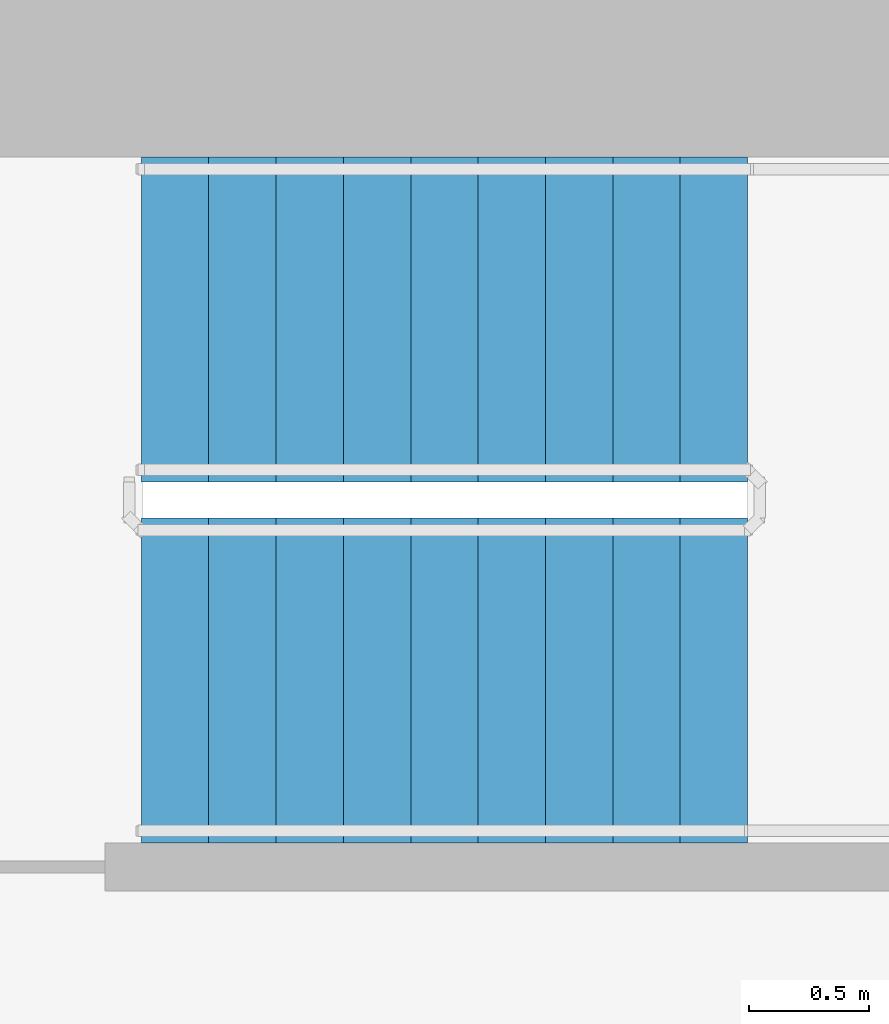
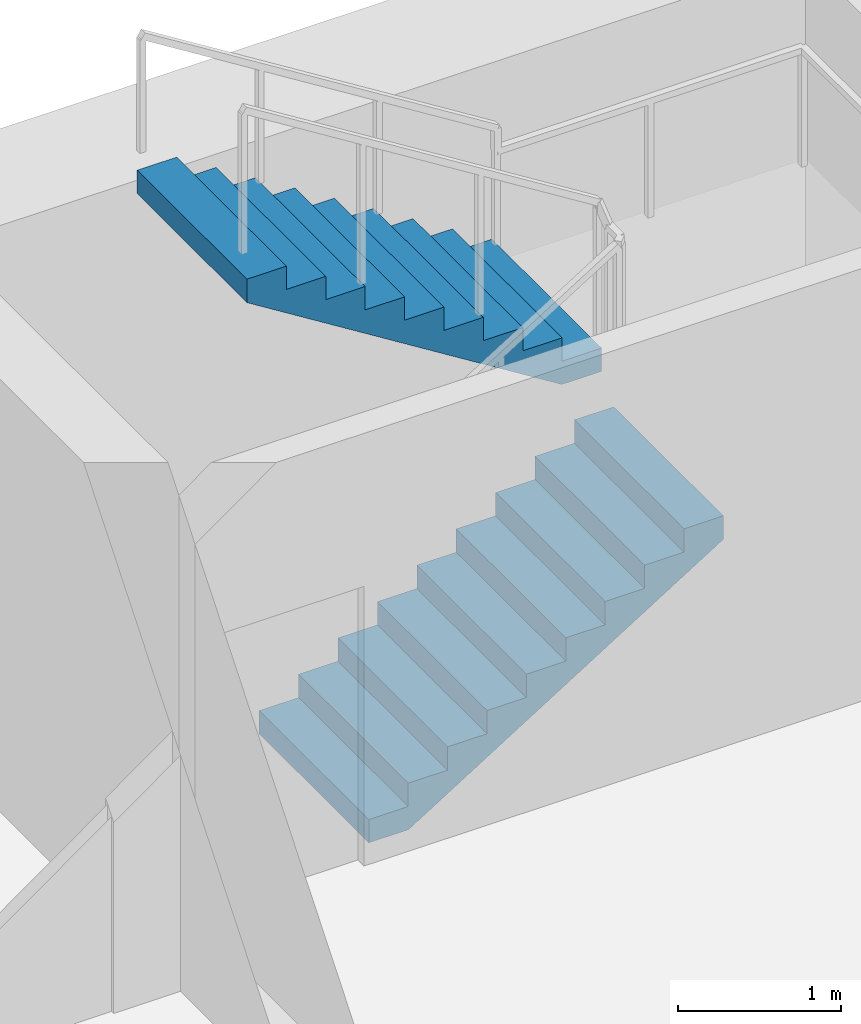
# One storey, part 14 of 18: 2 stair flights, 1 element without a shape of its own.
"""IFC4 building model written with IfcOpenShell, lengths in metres."""

import ifcopenshell
import ifcopenshell.guid

model = None  # the IFC model being written
_history = None  # IfcOwnerHistory: only IFC2X3 demands one
_inside = {}  # id of a spatial element -> (the spatial element, [elements in it])
_under = {}  # id of a project, library or spatial element -> (it, [spatial elements below it])
_declared = {}  # id of a project -> (the project, [libraries it declares])
_typed = {}  # id of a type object -> (the type object, [elements of that type])
_made_of = {}  # id of a material, layer set ... -> (it, [elements and type objects made of it])


def new_model(schema):
    """Start an empty IFC model of exactly this schema.

    Asked for "IFC4X3", IfcOpenShell would pick the latest addendum, in which some entities
    have other attributes; the version numbers below select the first issue.
    IFC2X3 requires an IfcOwnerHistory on every rooted entity: one is made here for all.
    """
    global model, _history
    if schema == "IFC4X3":
        model = ifcopenshell.file(schema_version=(4, 3, 0, 0))
    else:
        model = ifcopenshell.file(schema=schema)
    _inside.clear()
    _under.clear()
    _declared.clear()
    _typed.clear()
    _made_of.clear()
    _history = None
    if model.schema == "IFC2X3":
        org = make("IfcOrganization", Name="unknown")
        user = make(
            "IfcPersonAndOrganization",
            ThePerson=make("IfcPerson", FamilyName="unknown"),
            TheOrganization=org,
        )
        app = make(
            "IfcApplication",
            ApplicationDeveloper=org,
            Version="unknown",
            ApplicationFullName="unknown",
            ApplicationIdentifier="unknown",
        )
        _history = make(
            "IfcOwnerHistory",
            OwningUser=user,
            OwningApplication=app,
            ChangeAction="ADDED",
            CreationDate=0,
        )
    return model


def make(cls, **values):
    """One entity of the class cls with the attributes given. An attribute that is None is left unset."""
    return model.create_entity(
        cls, **{name: value for name, value in values.items() if value is not None}
    )


def rooted(cls, **values):
    """An entity with a GlobalId (a new one), such as an element, a storey or a relation."""
    return make(cls, GlobalId=ifcopenshell.guid.new(), OwnerHistory=_history, **values)


def si_unit(unit_type, name, prefix=None):
    """IfcSIUnit, for example si_unit("LENGTHUNIT", "METRE", prefix="MILLI")."""
    return make("IfcSIUnit", UnitType=unit_type, Prefix=prefix, Name=name)


def assignment(units):
    """IfcUnitAssignment: the units of a project."""
    return None if units is None else make("IfcUnitAssignment", Units=units)


def point(xyz):
    """IfcCartesianPoint."""
    return None if xyz is None else make("IfcCartesianPoint", Coordinates=xyz)


def direction(xyz):
    """IfcDirection."""
    return None if xyz is None else make("IfcDirection", DirectionRatios=xyz)


def frame(location, z_axis=None, x_axis=None):
    """IfcAxis2Placement3D, a coordinate frame: its origin and axes. An axis left out is left unset."""
    return make(
        "IfcAxis2Placement3D",
        Location=point(location),
        Axis=direction(z_axis),
        RefDirection=direction(x_axis),
    )


def origin():
    """The frame at (0, 0, 0) with its axes left unset."""
    return frame((0.0, 0.0, 0.0))


def place(relative_to, where):
    """IfcLocalPlacement: puts the frame where relative to a parent placement (None: the world)."""
    return make(
        "IfcLocalPlacement", PlacementRelTo=relative_to, RelativePlacement=where
    )


def context(
    kind, dimensions, precision=None, world=None, true_north=None, identifier=None
):
    """IfcGeometricRepresentationContext, for example the 3D "Model" context."""
    return make(
        "IfcGeometricRepresentationContext",
        ContextIdentifier=identifier,
        ContextType=kind,
        CoordinateSpaceDimension=dimensions,
        Precision=precision,
        WorldCoordinateSystem=world,
        TrueNorth=true_north,
    )


def subcontext(parent, identifier, kind, view, scale=None):
    """IfcGeometricRepresentationSubContext, for example "Body" below "Model"."""
    return make(
        "IfcGeometricRepresentationSubContext",
        ContextIdentifier=identifier,
        ContextType=kind,
        ParentContext=parent,
        TargetScale=scale,
        TargetView=view,
    )


def project(units=None, contexts=None):
    """IfcProject with its units and contexts."""
    return rooted(
        "IfcProject",
        Name="project",
        RepresentationContexts=contexts,
        UnitsInContext=assignment(units),
    )


def spatial(cls, under=None, at=None, **own):
    """A site, building, storey or space (cls), placed at a placement, below another one or the project."""
    s = rooted(cls, ObjectPlacement=at, **own)
    if under is not None:
        _under.setdefault(under.id(), (under, []))[1].append(s)
    return s


def polyline(points):
    """IfcPolyline through the points."""
    return make("IfcPolyline", Points=[point(p) for p in points])


def outline(outer, holes=None, kind="AREA"):
    """IfcArbitraryClosedProfileDef: a profile drawn as a closed curve; with holes, ...WithVoids."""
    if holes is None:
        return make("IfcArbitraryClosedProfileDef", ProfileType=kind, OuterCurve=outer)
    return make(
        "IfcArbitraryProfileDefWithVoids",
        ProfileType=kind,
        OuterCurve=outer,
        InnerCurves=holes,
    )


def extrude(swept, where, along, depth):
    """IfcExtrudedAreaSolid: the profile swept, set in the frame where, extruded along a direction by depth."""
    return make(
        "IfcExtrudedAreaSolid",
        SweptArea=swept,
        Position=where,
        ExtrudedDirection=direction(along),
        Depth=depth,
    )


def shape(context_of_items, identifier, shape_type, items):
    """IfcShapeRepresentation: the items that make up one representation, for example the "Body"."""
    return make(
        "IfcShapeRepresentation",
        ContextOfItems=context_of_items,
        RepresentationIdentifier=identifier,
        RepresentationType=shape_type,
        Items=items,
    )


def material(Name=None, Category=None):
    """IfcMaterial."""
    return make("IfcMaterial", Name=Name, Category=Category)


def made_of(thing, what):
    """Note that an element or type object is made of a material, layer set ...; save() writes the relation."""
    if what is not None:
        _made_of.setdefault(what.id(), (what, []))[1].append(thing)
    return thing


def type_object(cls, material=None, **own):
    """A type object (cls), such as IfcWallType, which elements share."""
    return made_of(rooted(cls, **own), material)


def element(
    cls,
    number,
    at=None,
    inside=None,
    cuts=None,
    type_object=None,
    material=None,
    context=None,
    identifier="Body",
    shape_type=None,
    held_by="IfcProductDefinitionShape",
    body=None,
    shapes=None,
    **own,
):
    """One element of the class cls, such as IfcWall. Its Tag is "e" and its number.

    at: its placement. inside: the storey or other place that contains it. cuts: it is an
    opening in that element (IfcRelVoidsElement). A single representation is given by context,
    identifier, shape_type and body (its items); several are given by shapes. held_by: the class
    of the entity that holds the representations. save() writes the other relations.
    """
    e = rooted(cls, Tag="e%d" % number, ObjectPlacement=at, **own)
    if body is not None:
        shapes = [shape(context, identifier, shape_type, body)]
    if shapes is not None:
        e.Representation = make(held_by, Representations=shapes)
    if inside is not None:
        _inside.setdefault(inside.id(), (inside, []))[1].append(e)
    if cuts is not None:
        rooted(
            "IfcRelVoidsElement", RelatingBuildingElement=cuts, RelatedOpeningElement=e
        )
    if type_object is not None:
        _typed.setdefault(type_object.id(), (type_object, []))[1].append(e)
    return made_of(e, material)


def aggregate(whole, parts):
    """IfcRelAggregates: a whole, such as a stair, and the parts it consists of."""
    return rooted("IfcRelAggregates", RelatingObject=whole, RelatedObjects=parts)


def save(model, path):
    """Write the relations noted so far, then the file.

    IfcRelAggregates (storeys below a building ...), IfcRelContainedInSpatialStructure (elements
    in a storey), IfcRelDefinesByType, IfcRelAssociatesMaterial and IfcRelDeclares: one each for
    every whole, place, type object, material and project.
    """
    for whole, parts in _under.values():
        aggregate(whole, parts)
    for where, things in _inside.values():
        rooted(
            "IfcRelContainedInSpatialStructure",
            RelatedElements=things,
            RelatingStructure=where,
        )
    for kind, things in _typed.values():
        rooted("IfcRelDefinesByType", RelatedObjects=things, RelatingType=kind)
    for what, things in _made_of.values():
        rooted("IfcRelAssociatesMaterial", RelatedObjects=things, RelatingMaterial=what)
    for by, libraries in _declared.values():
        rooted("IfcRelDeclares", RelatingContext=by, RelatedDefinitions=libraries)
    model.write(path)


model = new_model("IFC4")

# Units and contexts
model_context = context("Model", 3, precision=1e-05, world=origin(), true_north=direction((0.0, 1.0)))
body_context = subcontext(model_context, "Body", "Model", "MODEL_VIEW")
ifc_project = project(units=[si_unit("LENGTHUNIT", "METRE"), si_unit("AREAUNIT", "SQUARE_METRE"), si_unit("VOLUMEUNIT", "CUBIC_METRE"), si_unit("PLANEANGLEUNIT", "RADIAN"), si_unit("MASSUNIT", "GRAM", prefix="KILO")], contexts=[model_context])

# Site, building, storey
site_placement = place(None, origin())
site = spatial("IfcSite", under=ifc_project, at=site_placement, CompositionType="ELEMENT")
building_placement = place(site_placement, origin())
building = spatial("IfcBuilding", under=site, at=building_placement, Name="Perihelion Cross Residences", CompositionType="ELEMENT")
storey_placement = place(building_placement, frame((0.0, 0.0, 215.60009765625)))
storey = spatial("IfcBuildingStorey", under=building, at=storey_placement, Name="L54", CompositionType="ELEMENT", Elevation=215.60009765625)

# Stair, stair flights
ifc_material_1 = material(Name="Concrete C40/50", Category="concrete")
stair_type = type_object("IfcStairType", Name="Exit stair, half-turn", PredefinedType="HALF_TURN_STAIR", material=ifc_material_1)
stair_placement = place(storey_placement, origin())
stair = element("IfcStair", 1, at=stair_placement, inside=storey, type_object=stair_type, Name="L54 East core exit stair 1", PredefinedType="HALF_TURN_STAIR")
ifc_material_2 = material(Name="Concrete C40/50", Category="concrete")
stair_flight_type = type_object("IfcStairFlightType", Name="Exit stair flight", PredefinedType="STRAIGHT", material=ifc_material_2)
stair_flight_1_placement = place(storey_placement, frame((23.39990234375, 5.925048828125, 0.0), z_axis=(0.0, 0.0, 1.0), x_axis=(1.0, 0.0, 0.0)))
stair_flight_1 = element("IfcStairFlight", 2, at=stair_flight_1_placement, type_object=stair_flight_type, Name="ST-E1 flight 1", NumberOfRisers=10, NumberOfTreads=9, PredefinedType="STRAIGHT", RiserHeight=0.175, TreadLength=0.28, context=body_context, shape_type="SweptSolid", body=[
    extrude(outline(polyline([(0.0, 0.0), (0.0, 0.175048828125), (0.280029296875, 0.175048828125), (0.280029296875, 0.35009765625), (0.56005859375, 0.35009765625), (0.56005859375, 0.52490234375), (0.840087890625, 0.52490234375), (0.840087890625, 0.699951171875), (1.1201171875, 0.699951171875), (1.1201171875, 0.875), (1.39990234375, 0.875), (1.39990234375, 1.050048828125), (1.679931640625, 1.050048828125), (1.679931640625, 1.22509765625), (1.9599609375, 1.22509765625), (1.9599609375, 1.39990234375), (2.239990234375, 1.39990234375), (2.239990234375, 1.574951171875), (2.52001953125, 1.574951171875), (2.52001953125, 1.75), (2.52001953125, 1.398193359375), (0.28271484375, 0.0), (0.0, 0.0)])), frame((0.0, 0.675048828125, 0.0), z_axis=(0.0, -1.0, 0.0), x_axis=(1.0, 0.0, 0.0)), (0.0, 0.0, 1.0), 1.35009765625),
])
stair_flight_2_placement = place(storey_placement, frame((25.919921875, 7.425048828125, 1.75), z_axis=(0.0, 0.0, 1.0), x_axis=(-1.0, 0.0, 0.0)))
stair_flight_2 = element("IfcStairFlight", 3, at=stair_flight_2_placement, type_object=stair_flight_type, Name="ST-E1 flight 2", NumberOfRisers=10, NumberOfTreads=9, PredefinedType="STRAIGHT", RiserHeight=0.175, TreadLength=0.28, context=body_context, shape_type="SweptSolid", body=[
    extrude(outline(polyline([(0.0, 0.0), (0.0, 0.175048828125), (0.280029296875, 0.175048828125), (0.280029296875, 0.35009765625), (0.56005859375, 0.35009765625), (0.56005859375, 0.52490234375), (0.840087890625, 0.52490234375), (0.840087890625, 0.699951171875), (1.1201171875, 0.699951171875), (1.1201171875, 0.875), (1.39990234375, 0.875), (1.39990234375, 1.050048828125), (1.679931640625, 1.050048828125), (1.679931640625, 1.22509765625), (1.9599609375, 1.22509765625), (1.9599609375, 1.39990234375), (2.239990234375, 1.39990234375), (2.239990234375, 1.574951171875), (2.52001953125, 1.574951171875), (2.52001953125, 1.75), (2.52001953125, 1.398193359375), (0.28271484375, 0.0), (0.0, 0.0)])), frame((0.0, 0.675048828125, 0.0), z_axis=(0.0, -1.0, 0.0), x_axis=(1.0, 0.0, 0.0)), (0.0, 0.0, 1.0), 1.35009765625),
])
aggregate(stair, [stair_flight_1, stair_flight_2])

save(model, "model.ifc")
